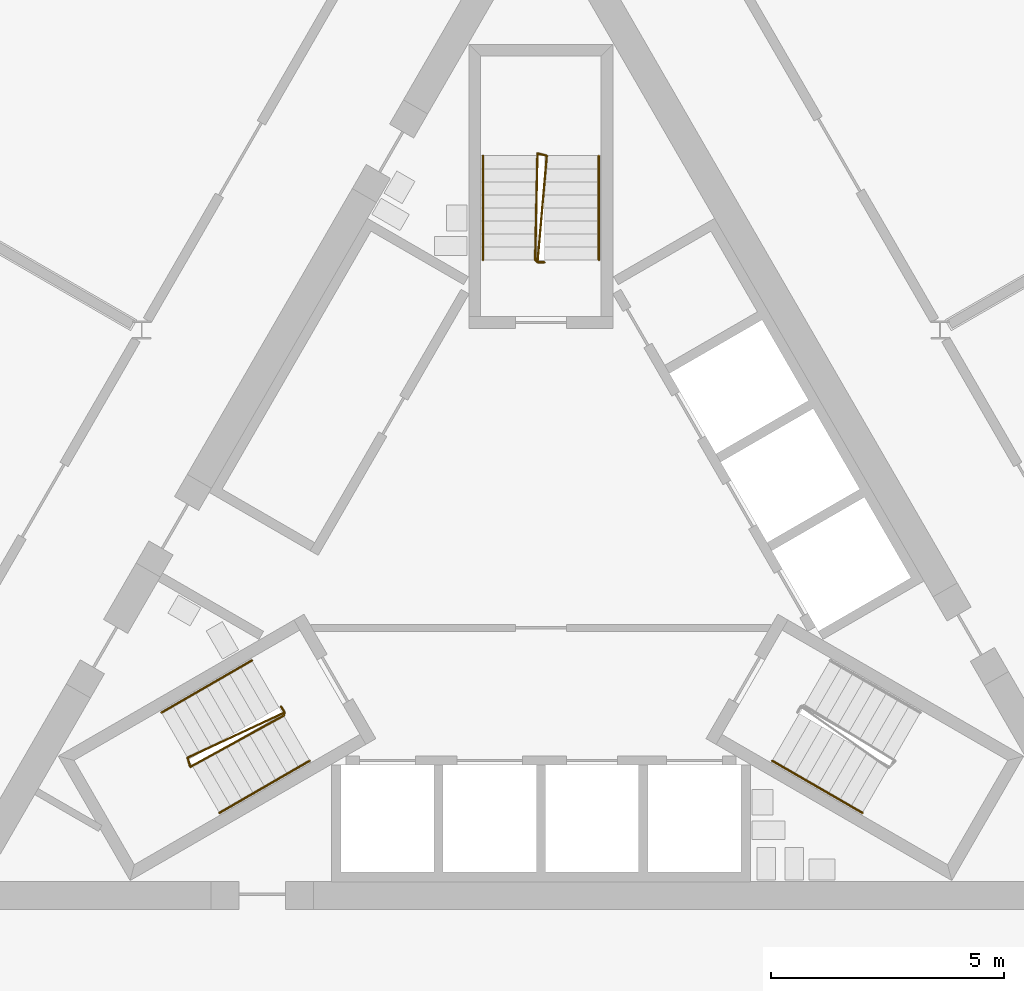
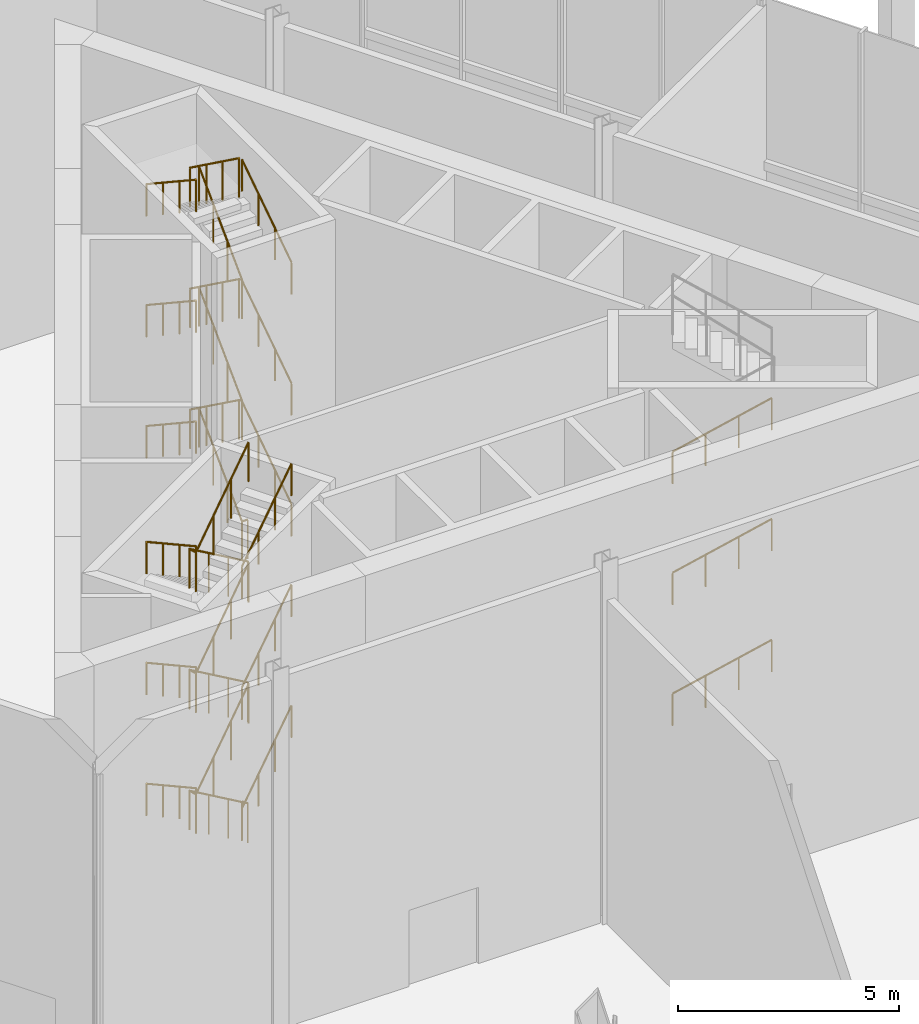
# One storey, part 15 of 18: 17 railings.
"""IFC4 building model written with IfcOpenShell, lengths in metres."""

from ifc_helpers import new_model, si_unit, direction, frame, origin, origin_2d, place, context, subcontext, project, spatial, circle, extrude, material, type_object, element, save


model = new_model("IFC4")

# Units and contexts
model_context = context("Model", 3, precision=1e-05, world=origin(), true_north=direction((0.0, 1.0)))
body_context = subcontext(model_context, "Body", "Model", "MODEL_VIEW")
ifc_project = project(units=[si_unit("LENGTHUNIT", "METRE"), si_unit("AREAUNIT", "SQUARE_METRE"), si_unit("VOLUMEUNIT", "CUBIC_METRE"), si_unit("PLANEANGLEUNIT", "RADIAN"), si_unit("MASSUNIT", "GRAM", prefix="KILO")], contexts=[model_context])

# Site, building, storey
site_placement = place(None, origin())
site = spatial("IfcSite", under=ifc_project, at=site_placement, CompositionType="ELEMENT")
building_placement = place(site_placement, origin())
building = spatial("IfcBuilding", under=site, at=building_placement, Name="Cormorant Prow Tower", CompositionType="ELEMENT")
storey_placement = place(building_placement, frame((0.0, 0.0, 346.0)))
storey = spatial("IfcBuildingStorey", under=building, at=storey_placement, Name="L78", CompositionType="ELEMENT", Elevation=346.0)

# Railings
ifc_material_1 = material(Name="Stainless steel", Category="steel")
railing_type_1 = type_object("IfcRailingType", Name="Stair guard 1100", PredefinedType="GUARDRAIL", material=ifc_material_1)
railing_1_placement = place(storey_placement, frame((-5.585205078125, -3.137939453125, 0.0)))
element("IfcRailing", 1, at=railing_1_placement, inside=storey, type_object=railing_type_1, Name="L78 ST1 stair guard 1", PredefinedType="GUARDRAIL", context=body_context, shape_type="SweptSolid", body=[
    extrude(circle(Radius=0.02392578125, at=origin_2d()), frame((0.0, 0.0, 1.076171875), z_axis=(0.501036270542, -0.865426285481, 0.0), x_axis=(0.865426285481, 0.501036270542, 0.0)), (0.0, 0.0, 1.0), 0.150146484375),
    extrude(circle(Radius=0.02392578125, at=origin_2d()), frame((0.0751953125, -0.1298828125, 1.076171875), z_axis=(-0.733674800789, -0.342289860769, 0.586991429156), x_axis=(0.422792438952, -0.906226546491, 0.0)), (0.0, 0.0, 1.0), 2.83935546875),
    extrude(circle(Radius=0.02392578125, at=origin_2d()), frame((-2.008056640625, -1.101806640625, 2.74267578125), z_axis=(0.275034262293, -0.961434425515, 0.0), x_axis=(0.961434425515, 0.275034262293, 0.0)), (0.0, 0.0, 1.0), 0.2060546875),
    extrude(circle(Radius=0.02392578125, at=origin_2d()), frame((-1.951416015625, -1.2998046875, 2.74267578125), z_axis=(0.708981209556, 0.388879554767, 0.588318227137), x_axis=(-0.480911908544, 0.87676891837, 0.0)), (0.0, 0.0, 1.0), 2.832763671875),
    extrude(circle(Radius=0.02392578125, at=origin_2d()), frame((0.056884765625, -0.1982421875, 4.4091796875), z_axis=(0.258736085224, 0.965948051503, 0.0), x_axis=(-0.965948051503, 0.258736085224, 0.0)), (0.0, 0.0, 1.0), 0.07080078125),
    extrude(circle(Radius=0.02392578125, at=origin_2d()), frame((0.0751953125, -0.1298828125, 4.4091796875), z_axis=(-0.733674800789, -0.342289860769, 0.586991429156), x_axis=(0.422792438952, -0.906226546491, 0.0)), (0.0, 0.0, 1.0), 2.83935546875),
    extrude(circle(Radius=0.02392578125, at=origin_2d()), frame((-2.008056640625, -1.101806640625, 6.076171875), z_axis=(0.275034262293, -0.961434425515, 0.0), x_axis=(0.961434425515, 0.275034262293, 0.0)), (0.0, 0.0, 1.0), 0.2060546875),
    extrude(circle(Radius=0.02392578125, at=origin_2d()), frame((-1.951416015625, -1.2998046875, 6.076171875), z_axis=(0.708945260141, 0.388859836343, 0.588374579502), x_axis=(-0.480911908544, 0.87676891837, 0.0)), (0.0, 0.0, 1.0), 2.832763671875),
    extrude(circle(Radius=0.02392578125, at=origin_2d()), frame((0.056884765625, -0.1982421875, 7.74267578125), z_axis=(0.258736085224, 0.965948051503, 0.0), x_axis=(-0.965948051503, 0.258736085224, 0.0)), (0.0, 0.0, 1.0), 0.07080078125),
    extrude(circle(Radius=0.02392578125, at=origin_2d()), frame((0.0751953125, -0.1298828125, 7.74267578125), z_axis=(-0.733711829474, -0.342307136193, 0.586935069494), x_axis=(0.422792438952, -0.906226546491, 0.0)), (0.0, 0.0, 1.0), 2.83935546875),
    extrude(circle(Radius=0.02392578125, at=origin_2d()), frame((-2.008056640625, -1.101806640625, 9.4091796875), z_axis=(0.275034262293, -0.961434425515, 0.0), x_axis=(0.961434425515, 0.275034262293, 0.0)), (0.0, 0.0, 1.0), 0.2060546875),
    extrude(circle(Radius=0.02392578125, at=origin_2d()), frame((-1.951416015625, -1.2998046875, 9.4091796875), z_axis=(0.708945260141, 0.388859836343, 0.588374579502), x_axis=(-0.480911908544, 0.87676891837, 0.0)), (0.0, 0.0, 1.0), 2.832763671875),
    extrude(circle(Radius=0.02099609375, at=origin_2d()), origin(), (0.0, 0.0, 1.0), 1.052001953125),
    extrude(circle(Radius=0.02099609375, at=origin_2d()), frame((0.0751953125, -0.1298828125, 0.0)), (0.0, 0.0, 1.0), 1.052001953125),
    extrude(circle(Radius=0.02099609375, at=origin_2d()), frame((-0.619140625, -0.453857421875, 0.5556640625)), (0.0, 0.0, 1.0), 1.052001953125),
    extrude(circle(Radius=0.02099609375, at=origin_2d()), frame((-1.313720703125, -0.77783203125, 1.111083984375)), (0.0, 0.0, 1.0), 1.052001953125),
    extrude(circle(Radius=0.02099609375, at=origin_2d()), frame((-2.008056640625, -1.101806640625, 1.666748046875)), (0.0, 0.0, 1.0), 1.052001953125),
    extrude(circle(Radius=0.02099609375, at=origin_2d()), frame((-1.951416015625, -1.2998046875, 1.666748046875)), (0.0, 0.0, 1.0), 1.052001953125),
    extrude(circle(Radius=0.02099609375, at=origin_2d()), frame((-1.281982421875, -0.9326171875, 2.22216796875)), (0.0, 0.0, 1.0), 1.052001953125),
    extrude(circle(Radius=0.02099609375, at=origin_2d()), frame((-0.612548828125, -0.5654296875, 2.77783203125)), (0.0, 0.0, 1.0), 1.052001953125),
    extrude(circle(Radius=0.02099609375, at=origin_2d()), frame((0.056884765625, -0.1982421875, 3.333251953125)), (0.0, 0.0, 1.0), 1.052001953125),
    extrude(circle(Radius=0.02099609375, at=origin_2d()), frame((0.0751953125, -0.1298828125, 3.333251953125)), (0.0, 0.0, 1.0), 1.052001953125),
    extrude(circle(Radius=0.02099609375, at=origin_2d()), frame((-0.619140625, -0.453857421875, 3.888916015625)), (0.0, 0.0, 1.0), 1.052001953125),
    extrude(circle(Radius=0.02099609375, at=origin_2d()), frame((-1.313720703125, -0.77783203125, 4.4443359375)), (0.0, 0.0, 1.0), 1.052001953125),
    extrude(circle(Radius=0.02099609375, at=origin_2d()), frame((-2.008056640625, -1.101806640625, 5.0)), (0.0, 0.0, 1.0), 1.052001953125),
    extrude(circle(Radius=0.02099609375, at=origin_2d()), frame((-1.951416015625, -1.2998046875, 5.0)), (0.0, 0.0, 1.0), 1.052001953125),
    extrude(circle(Radius=0.02099609375, at=origin_2d()), frame((-1.281982421875, -0.9326171875, 5.5556640625)), (0.0, 0.0, 1.0), 1.052001953125),
    extrude(circle(Radius=0.02099609375, at=origin_2d()), frame((-0.612548828125, -0.5654296875, 6.111083984375)), (0.0, 0.0, 1.0), 1.052001953125),
    extrude(circle(Radius=0.02099609375, at=origin_2d()), frame((0.056884765625, -0.1982421875, 6.666748046875)), (0.0, 0.0, 1.0), 1.052001953125),
    extrude(circle(Radius=0.02099609375, at=origin_2d()), frame((0.0751953125, -0.1298828125, 6.666748046875)), (0.0, 0.0, 1.0), 1.052001953125),
    extrude(circle(Radius=0.02099609375, at=origin_2d()), frame((-0.619140625, -0.453857421875, 7.22216796875)), (0.0, 0.0, 1.0), 1.052001953125),
    extrude(circle(Radius=0.02099609375, at=origin_2d()), frame((-1.313720703125, -0.77783203125, 7.77783203125)), (0.0, 0.0, 1.0), 1.052001953125),
    extrude(circle(Radius=0.02099609375, at=origin_2d()), frame((-2.008056640625, -1.101806640625, 8.333251953125)), (0.0, 0.0, 1.0), 1.052001953125),
    extrude(circle(Radius=0.02099609375, at=origin_2d()), frame((-1.951416015625, -1.2998046875, 8.333251953125)), (0.0, 0.0, 1.0), 1.052001953125),
    extrude(circle(Radius=0.02099609375, at=origin_2d()), frame((-1.281982421875, -0.9326171875, 8.888916015625)), (0.0, 0.0, 1.0), 1.052001953125),
    extrude(circle(Radius=0.02099609375, at=origin_2d()), frame((-0.612548828125, -0.5654296875, 9.4443359375)), (0.0, 0.0, 1.0), 1.052001953125),
    extrude(circle(Radius=0.02099609375, at=origin_2d()), frame((0.056884765625, -0.1982421875, 10.0)), (0.0, 0.0, 1.0), 1.052001953125),
])
railing_2_placement = place(storey_placement, frame((0.074951171875, 6.40576171875, 0.0)))
element("IfcRailing", 2, at=railing_2_placement, inside=storey, type_object=railing_type_1, Name="L78 ST3 stair guard 1", PredefinedType="GUARDRAIL", context=body_context, shape_type="SweptSolid", body=[
    extrude(circle(Radius=0.02392578125, at=origin_2d()), frame((0.0, 0.0, 1.076171875), z_axis=(-1.0, 0.0, 0.0), x_axis=(0.0, -1.0, 0.0)), (0.0, 0.0, 1.0), 0.14990234375),
    extrude(circle(Radius=0.02392578125, at=origin_2d()), frame((-0.14990234375, 0.0, 1.076171875), z_axis=(0.070419712809, 0.806516368928, 0.587002905189), x_axis=(-0.996209839609, 0.086982500921, 0.0)), (0.0, 0.0, 1.0), 2.83935546875),
    extrude(circle(Radius=0.02392578125, at=origin_2d()), frame((0.050048828125, 2.2900390625, 2.74267578125), z_axis=(-0.970072785993, 0.242814311512, 0.0), x_axis=(-0.242814311512, -0.970072785993, 0.0)), (0.0, 0.0, 1.0), 0.2060546875),
    extrude(circle(Radius=0.02392578125, at=origin_2d()), frame((-0.14990234375, 2.340087890625, 2.74267578125), z_axis=(-0.017668429064, -0.808438363986, 0.58831559409), x_axis=(0.999761264773, -0.0218497931, 0.0)), (0.0, 0.0, 1.0), 2.832763671875),
    extrude(circle(Radius=0.02392578125, at=origin_2d()), frame((-0.199951171875, 0.050048828125, 4.4091796875), z_axis=(0.707106781187, -0.707106781187, 0.0), x_axis=(0.707106781187, 0.707106781187, 0.0)), (0.0, 0.0, 1.0), 0.07080078125),
    extrude(circle(Radius=0.02392578125, at=origin_2d()), frame((-0.14990234375, 0.0, 4.4091796875), z_axis=(0.070419712809, 0.806516368928, 0.587002905189), x_axis=(-0.996209839609, 0.086982500921, 0.0)), (0.0, 0.0, 1.0), 2.83935546875),
    extrude(circle(Radius=0.02392578125, at=origin_2d()), frame((0.050048828125, 2.2900390625, 6.076171875), z_axis=(-0.970072785993, 0.242814311512, 0.0), x_axis=(-0.242814311512, -0.970072785993, 0.0)), (0.0, 0.0, 1.0), 0.2060546875),
    extrude(circle(Radius=0.02392578125, at=origin_2d()), frame((-0.14990234375, 2.340087890625, 6.076171875), z_axis=(-0.017667533181, -0.80839737189, 0.58837194647), x_axis=(0.999761264773, -0.0218497931, 0.0)), (0.0, 0.0, 1.0), 2.832763671875),
    extrude(circle(Radius=0.02392578125, at=origin_2d()), frame((-0.199951171875, 0.050048828125, 7.74267578125), z_axis=(0.707106781187, -0.707106781187, 0.0), x_axis=(0.707106781187, 0.707106781187, 0.0)), (0.0, 0.0, 1.0), 0.07080078125),
    extrude(circle(Radius=0.02392578125, at=origin_2d()), frame((-0.14990234375, 0.0, 7.74267578125), z_axis=(0.070423267043, 0.80655707553, 0.586946545583), x_axis=(-0.996209839609, 0.086982500921, 0.0)), (0.0, 0.0, 1.0), 2.83935546875),
    extrude(circle(Radius=0.02392578125, at=origin_2d()), frame((0.050048828125, 2.2900390625, 9.4091796875), z_axis=(-0.970072785993, 0.242814311512, 0.0), x_axis=(-0.242814311512, -0.970072785993, 0.0)), (0.0, 0.0, 1.0), 0.2060546875),
    extrude(circle(Radius=0.02392578125, at=origin_2d()), frame((-0.14990234375, 2.340087890625, 9.4091796875), z_axis=(-0.017667533181, -0.80839737189, 0.58837194647), x_axis=(0.999761264773, -0.0218497931, 0.0)), (0.0, 0.0, 1.0), 2.832763671875),
    extrude(circle(Radius=0.02099609375, at=origin_2d()), origin(), (0.0, 0.0, 1.0), 1.052001953125),
    extrude(circle(Radius=0.02099609375, at=origin_2d()), frame((-0.14990234375, 0.0, 0.0)), (0.0, 0.0, 1.0), 1.052001953125),
    extrude(circle(Radius=0.02099609375, at=origin_2d()), frame((-0.083251953125, 0.763427734375, 0.5556640625)), (0.0, 0.0, 1.0), 1.052001953125),
    extrude(circle(Radius=0.02099609375, at=origin_2d()), frame((-0.0166015625, 1.526611328125, 1.111083984375)), (0.0, 0.0, 1.0), 1.052001953125),
    extrude(circle(Radius=0.02099609375, at=origin_2d()), frame((0.050048828125, 2.2900390625, 1.666748046875)), (0.0, 0.0, 1.0), 1.052001953125),
    extrude(circle(Radius=0.02099609375, at=origin_2d()), frame((-0.14990234375, 2.340087890625, 1.666748046875)), (0.0, 0.0, 1.0), 1.052001953125),
    extrude(circle(Radius=0.02099609375, at=origin_2d()), frame((-0.16650390625, 1.57666015625, 2.22216796875)), (0.0, 0.0, 1.0), 1.052001953125),
    extrude(circle(Radius=0.02099609375, at=origin_2d()), frame((-0.183349609375, 0.8134765625, 2.77783203125)), (0.0, 0.0, 1.0), 1.052001953125),
    extrude(circle(Radius=0.02099609375, at=origin_2d()), frame((-0.199951171875, 0.050048828125, 3.333251953125)), (0.0, 0.0, 1.0), 1.052001953125),
    extrude(circle(Radius=0.02099609375, at=origin_2d()), frame((-0.14990234375, 0.0, 3.333251953125)), (0.0, 0.0, 1.0), 1.052001953125),
    extrude(circle(Radius=0.02099609375, at=origin_2d()), frame((-0.083251953125, 0.763427734375, 3.888916015625)), (0.0, 0.0, 1.0), 1.052001953125),
    extrude(circle(Radius=0.02099609375, at=origin_2d()), frame((-0.0166015625, 1.526611328125, 4.4443359375)), (0.0, 0.0, 1.0), 1.052001953125),
    extrude(circle(Radius=0.02099609375, at=origin_2d()), frame((0.050048828125, 2.2900390625, 5.0)), (0.0, 0.0, 1.0), 1.052001953125),
    extrude(circle(Radius=0.02099609375, at=origin_2d()), frame((-0.14990234375, 2.340087890625, 5.0)), (0.0, 0.0, 1.0), 1.052001953125),
    extrude(circle(Radius=0.02099609375, at=origin_2d()), frame((-0.16650390625, 1.57666015625, 5.5556640625)), (0.0, 0.0, 1.0), 1.052001953125),
    extrude(circle(Radius=0.02099609375, at=origin_2d()), frame((-0.183349609375, 0.8134765625, 6.111083984375)), (0.0, 0.0, 1.0), 1.052001953125),
    extrude(circle(Radius=0.02099609375, at=origin_2d()), frame((-0.199951171875, 0.050048828125, 6.666748046875)), (0.0, 0.0, 1.0), 1.052001953125),
    extrude(circle(Radius=0.02099609375, at=origin_2d()), frame((-0.14990234375, 0.0, 6.666748046875)), (0.0, 0.0, 1.0), 1.052001953125),
    extrude(circle(Radius=0.02099609375, at=origin_2d()), frame((-0.083251953125, 0.763427734375, 7.22216796875)), (0.0, 0.0, 1.0), 1.052001953125),
    extrude(circle(Radius=0.02099609375, at=origin_2d()), frame((-0.0166015625, 1.526611328125, 7.77783203125)), (0.0, 0.0, 1.0), 1.052001953125),
    extrude(circle(Radius=0.02099609375, at=origin_2d()), frame((0.050048828125, 2.2900390625, 8.333251953125)), (0.0, 0.0, 1.0), 1.052001953125),
    extrude(circle(Radius=0.02099609375, at=origin_2d()), frame((-0.14990234375, 2.340087890625, 8.333251953125)), (0.0, 0.0, 1.0), 1.052001953125),
    extrude(circle(Radius=0.02099609375, at=origin_2d()), frame((-0.16650390625, 1.57666015625, 8.888916015625)), (0.0, 0.0, 1.0), 1.052001953125),
    extrude(circle(Radius=0.02099609375, at=origin_2d()), frame((-0.183349609375, 0.8134765625, 9.4443359375)), (0.0, 0.0, 1.0), 1.052001953125),
    extrude(circle(Radius=0.02099609375, at=origin_2d()), frame((-0.199951171875, 0.050048828125, 10.0)), (0.0, 0.0, 1.0), 1.052001953125),
])
ifc_material_2 = material(Name="Stainless steel", Category="steel")
railing_type_2 = type_object("IfcRailingType", Name="Stair handrail 900", PredefinedType="HANDRAIL", material=ifc_material_2)
railing_3_placement = place(storey_placement, frame((-6.212890625, -2.150634765625, 0.185302734375)))
element("IfcRailing", 3, at=railing_3_placement, inside=storey, type_object=railing_type_2, Name="L78 ST1 stair handrail 1", PredefinedType="HANDRAIL", context=body_context, shape_type="SweptSolid", body=[
    extrude(circle(Radius=0.02392578125, at=origin_2d()), frame((0.0, 0.0, 0.8759765625), z_axis=(-0.722363311002, -0.416999812178, 0.551636115172), x_axis=(0.49994888933, -0.866054910533, 0.0)), (0.0, 0.0, 1.0), 2.685546875),
    extrude(circle(Radius=0.02099609375, at=origin_2d()), origin(), (0.0, 0.0, 1.0), 0.851806640625),
    extrude(circle(Radius=0.02099609375, at=origin_2d()), frame((-0.646728515625, -0.373291015625, 0.493896484375)), (0.0, 0.0, 1.0), 0.851806640625),
    extrude(circle(Radius=0.02099609375, at=origin_2d()), frame((-1.293212890625, -0.74658203125, 0.987548828125)), (0.0, 0.0, 1.0), 0.851806640625),
    extrude(circle(Radius=0.02099609375, at=origin_2d()), frame((-1.93994140625, -1.119873046875, 1.4814453125)), (0.0, 0.0, 1.0), 0.851806640625),
])
railing_4_placement = place(storey_placement, frame((-6.90869140625, -5.42529296875, 1.851806640625)))
element("IfcRailing", 4, at=railing_4_placement, inside=storey, type_object=railing_type_2, Name="L78 ST1 stair handrail 2", PredefinedType="HANDRAIL", context=body_context, shape_type="SweptSolid", body=[
    extrude(circle(Radius=0.02392578125, at=origin_2d()), frame((0.0, 0.0, 0.8759765625), z_axis=(0.72229244732, 0.417102296828, 0.551651424838), x_axis=(-0.500077830873, 0.865980463445, 0.0)), (0.0, 0.0, 1.0), 2.685546875),
    extrude(circle(Radius=0.02099609375, at=origin_2d()), origin(), (0.0, 0.0, 1.0), 0.851806640625),
    extrude(circle(Radius=0.02099609375, at=origin_2d()), frame((0.646484375, 0.373291015625, 0.493896484375)), (0.0, 0.0, 1.0), 0.851806640625),
    extrude(circle(Radius=0.02099609375, at=origin_2d()), frame((1.293212890625, 0.746826171875, 0.987548828125)), (0.0, 0.0, 1.0), 0.851806640625),
    extrude(circle(Radius=0.02099609375, at=origin_2d()), frame((1.939697265625, 1.1201171875, 1.4814453125)), (0.0, 0.0, 1.0), 0.851806640625),
])
railing_5_placement = place(storey_placement, frame((-6.212890625, -2.150634765625, 3.5185546875)))
element("IfcRailing", 5, at=railing_5_placement, inside=storey, type_object=railing_type_2, Name="L78 ST1 stair handrail 3", PredefinedType="HANDRAIL", context=body_context, shape_type="SweptSolid", body=[
    extrude(circle(Radius=0.02392578125, at=origin_2d()), frame((0.0, 0.0, 0.8759765625), z_axis=(-0.722363311002, -0.416999812178, 0.551636115172), x_axis=(0.49994888933, -0.866054910533, 0.0)), (0.0, 0.0, 1.0), 2.685546875),
    extrude(circle(Radius=0.02099609375, at=origin_2d()), origin(), (0.0, 0.0, 1.0), 0.851806640625),
    extrude(circle(Radius=0.02099609375, at=origin_2d()), frame((-0.646728515625, -0.373291015625, 0.493896484375)), (0.0, 0.0, 1.0), 0.851806640625),
    extrude(circle(Radius=0.02099609375, at=origin_2d()), frame((-1.293212890625, -0.74658203125, 0.987548828125)), (0.0, 0.0, 1.0), 0.851806640625),
    extrude(circle(Radius=0.02099609375, at=origin_2d()), frame((-1.93994140625, -1.119873046875, 1.4814453125)), (0.0, 0.0, 1.0), 0.851806640625),
])
railing_6_placement = place(storey_placement, frame((-6.90869140625, -5.42529296875, 5.185302734375)))
element("IfcRailing", 6, at=railing_6_placement, inside=storey, type_object=railing_type_2, Name="L78 ST1 stair handrail 4", PredefinedType="HANDRAIL", context=body_context, shape_type="SweptSolid", body=[
    extrude(circle(Radius=0.02392578125, at=origin_2d()), frame((0.0, 0.0, 0.8759765625), z_axis=(0.72229244732, 0.417102296828, 0.551651424838), x_axis=(-0.500077830873, 0.865980463445, 0.0)), (0.0, 0.0, 1.0), 2.685546875),
    extrude(circle(Radius=0.02099609375, at=origin_2d()), origin(), (0.0, 0.0, 1.0), 0.851806640625),
    extrude(circle(Radius=0.02099609375, at=origin_2d()), frame((0.646484375, 0.373291015625, 0.493896484375)), (0.0, 0.0, 1.0), 0.851806640625),
    extrude(circle(Radius=0.02099609375, at=origin_2d()), frame((1.293212890625, 0.746826171875, 0.987548828125)), (0.0, 0.0, 1.0), 0.851806640625),
    extrude(circle(Radius=0.02099609375, at=origin_2d()), frame((1.939697265625, 1.1201171875, 1.4814453125)), (0.0, 0.0, 1.0), 0.851806640625),
])
railing_7_placement = place(storey_placement, frame((-6.212890625, -2.150634765625, 6.851806640625)))
element("IfcRailing", 7, at=railing_7_placement, inside=storey, type_object=railing_type_2, Name="L78 ST1 stair handrail 5", PredefinedType="HANDRAIL", context=body_context, shape_type="SweptSolid", body=[
    extrude(circle(Radius=0.02392578125, at=origin_2d()), frame((0.0, 0.0, 0.8759765625), z_axis=(-0.722363311002, -0.416999812178, 0.551636115172), x_axis=(0.49994888933, -0.866054910533, 0.0)), (0.0, 0.0, 1.0), 2.685546875),
    extrude(circle(Radius=0.02099609375, at=origin_2d()), origin(), (0.0, 0.0, 1.0), 0.851806640625),
    extrude(circle(Radius=0.02099609375, at=origin_2d()), frame((-0.646728515625, -0.373291015625, 0.493896484375)), (0.0, 0.0, 1.0), 0.851806640625),
    extrude(circle(Radius=0.02099609375, at=origin_2d()), frame((-1.293212890625, -0.74658203125, 0.987548828125)), (0.0, 0.0, 1.0), 0.851806640625),
    extrude(circle(Radius=0.02099609375, at=origin_2d()), frame((-1.93994140625, -1.119873046875, 1.4814453125)), (0.0, 0.0, 1.0), 0.851806640625),
])
railing_8_placement = place(storey_placement, frame((-6.90869140625, -5.42529296875, 8.5185546875)))
element("IfcRailing", 8, at=railing_8_placement, inside=storey, type_object=railing_type_2, Name="L78 ST1 stair handrail 6", PredefinedType="HANDRAIL", context=body_context, shape_type="SweptSolid", body=[
    extrude(circle(Radius=0.02392578125, at=origin_2d()), frame((0.0, 0.0, 0.8759765625), z_axis=(0.72229244732, 0.417102296828, 0.551651424838), x_axis=(-0.500077830873, 0.865980463445, 0.0)), (0.0, 0.0, 1.0), 2.685546875),
    extrude(circle(Radius=0.02099609375, at=origin_2d()), origin(), (0.0, 0.0, 1.0), 0.851806640625),
    extrude(circle(Radius=0.02099609375, at=origin_2d()), frame((0.646484375, 0.373291015625, 0.493896484375)), (0.0, 0.0, 1.0), 0.851806640625),
    extrude(circle(Radius=0.02099609375, at=origin_2d()), frame((1.293212890625, 0.746826171875, 0.987548828125)), (0.0, 0.0, 1.0), 0.851806640625),
    extrude(circle(Radius=0.02099609375, at=origin_2d()), frame((1.939697265625, 1.1201171875, 1.4814453125)), (0.0, 0.0, 1.0), 0.851806640625),
])
for number, where, name in (
    (9, (4.968994140625, -4.30517578125, 0.185302734375), "L78 ST2 stair handrail 1"),
    (10, (4.968994140625, -4.30517578125, 3.5185546875), "L78 ST2 stair handrail 3"),
    (11, (4.968994140625, -4.30517578125, 6.851806640625), "L78 ST2 stair handrail 5"),
):
    element("IfcRailing", number, at=place(storey_placement, frame(where)), inside=storey, type_object=railing_type_2, Name=name, PredefinedType="HANDRAIL", context=body_context, shape_type="SweptSolid", body=[
        extrude(circle(Radius=0.02392578125, at=origin_2d()), frame((0.0, 0.0, 0.8759765625), z_axis=(0.72229244732, -0.417102296828, 0.551651424838), x_axis=(0.500077830873, 0.865980463445, 0.0)), (0.0, 0.0, 1.0), 2.685546875),
        extrude(circle(Radius=0.02099609375, at=origin_2d()), origin(), (0.0, 0.0, 1.0), 0.851806640625),
        extrude(circle(Radius=0.02099609375, at=origin_2d()), frame((0.646484375, -0.373291015625, 0.493896484375)), (0.0, 0.0, 1.0), 0.851806640625),
        extrude(circle(Radius=0.02099609375, at=origin_2d()), frame((1.293212890625, -0.746826171875, 0.987548828125)), (0.0, 0.0, 1.0), 0.851806640625),
        extrude(circle(Radius=0.02099609375, at=origin_2d()), frame((1.939697265625, -1.1201171875, 1.4814453125)), (0.0, 0.0, 1.0), 0.851806640625),
    ])
railing_9_placement = place(storey_placement, frame((1.243896484375, 6.455810546875, 0.185302734375)))
element("IfcRailing", 12, at=railing_9_placement, inside=storey, type_object=railing_type_2, Name="L78 ST3 stair handrail 1", PredefinedType="HANDRAIL", context=body_context, shape_type="SweptSolid", body=[
    extrude(circle(Radius=0.02392578125, at=origin_2d()), frame((0.0, 0.0, 0.8759765625), z_axis=(0.0, 0.83408660425, 0.551633516577), x_axis=(-1.0, 0.0, 0.0)), (0.0, 0.0, 1.0), 2.685546875),
    extrude(circle(Radius=0.02099609375, at=origin_2d()), origin(), (0.0, 0.0, 1.0), 0.851806640625),
    extrude(circle(Radius=0.02099609375, at=origin_2d()), frame((0.0, 0.74658203125, 0.493896484375)), (0.0, 0.0, 1.0), 0.851806640625),
    extrude(circle(Radius=0.02099609375, at=origin_2d()), frame((0.0, 1.493408203125, 0.987548828125)), (0.0, 0.0, 1.0), 0.851806640625),
    extrude(circle(Radius=0.02099609375, at=origin_2d()), frame((0.0, 2.239990234375, 1.4814453125)), (0.0, 0.0, 1.0), 0.851806640625),
])
railing_10_placement = place(storey_placement, frame((-1.243896484375, 8.69580078125, 1.851806640625)))
element("IfcRailing", 13, at=railing_10_placement, inside=storey, type_object=railing_type_2, Name="L78 ST3 stair handrail 2", PredefinedType="HANDRAIL", context=body_context, shape_type="SweptSolid", body=[
    extrude(circle(Radius=0.02392578125, at=origin_2d()), frame((0.0, 0.0, 0.8759765625), z_axis=(0.0, -0.83408660425, 0.551633516577), x_axis=(1.0, 0.0, 0.0)), (0.0, 0.0, 1.0), 2.685546875),
    extrude(circle(Radius=0.02099609375, at=origin_2d()), origin(), (0.0, 0.0, 1.0), 0.851806640625),
    extrude(circle(Radius=0.02099609375, at=origin_2d()), frame((0.0, -0.74658203125, 0.493896484375)), (0.0, 0.0, 1.0), 0.851806640625),
    extrude(circle(Radius=0.02099609375, at=origin_2d()), frame((0.0, -1.493408203125, 0.987548828125)), (0.0, 0.0, 1.0), 0.851806640625),
    extrude(circle(Radius=0.02099609375, at=origin_2d()), frame((0.0, -2.239990234375, 1.4814453125)), (0.0, 0.0, 1.0), 0.851806640625),
])
railing_11_placement = place(storey_placement, frame((1.243896484375, 6.455810546875, 3.5185546875)))
element("IfcRailing", 14, at=railing_11_placement, inside=storey, type_object=railing_type_2, Name="L78 ST3 stair handrail 3", PredefinedType="HANDRAIL", context=body_context, shape_type="SweptSolid", body=[
    extrude(circle(Radius=0.02392578125, at=origin_2d()), frame((0.0, 0.0, 0.8759765625), z_axis=(0.0, 0.83408660425, 0.551633516577), x_axis=(-1.0, 0.0, 0.0)), (0.0, 0.0, 1.0), 2.685546875),
    extrude(circle(Radius=0.02099609375, at=origin_2d()), origin(), (0.0, 0.0, 1.0), 0.851806640625),
    extrude(circle(Radius=0.02099609375, at=origin_2d()), frame((0.0, 0.74658203125, 0.493896484375)), (0.0, 0.0, 1.0), 0.851806640625),
    extrude(circle(Radius=0.02099609375, at=origin_2d()), frame((0.0, 1.493408203125, 0.987548828125)), (0.0, 0.0, 1.0), 0.851806640625),
    extrude(circle(Radius=0.02099609375, at=origin_2d()), frame((0.0, 2.239990234375, 1.4814453125)), (0.0, 0.0, 1.0), 0.851806640625),
])
railing_12_placement = place(storey_placement, frame((-1.243896484375, 8.69580078125, 5.185302734375)))
element("IfcRailing", 15, at=railing_12_placement, inside=storey, type_object=railing_type_2, Name="L78 ST3 stair handrail 4", PredefinedType="HANDRAIL", context=body_context, shape_type="SweptSolid", body=[
    extrude(circle(Radius=0.02392578125, at=origin_2d()), frame((0.0, 0.0, 0.8759765625), z_axis=(0.0, -0.83408660425, 0.551633516577), x_axis=(1.0, 0.0, 0.0)), (0.0, 0.0, 1.0), 2.685546875),
    extrude(circle(Radius=0.02099609375, at=origin_2d()), origin(), (0.0, 0.0, 1.0), 0.851806640625),
    extrude(circle(Radius=0.02099609375, at=origin_2d()), frame((0.0, -0.74658203125, 0.493896484375)), (0.0, 0.0, 1.0), 0.851806640625),
    extrude(circle(Radius=0.02099609375, at=origin_2d()), frame((0.0, -1.493408203125, 0.987548828125)), (0.0, 0.0, 1.0), 0.851806640625),
    extrude(circle(Radius=0.02099609375, at=origin_2d()), frame((0.0, -2.239990234375, 1.4814453125)), (0.0, 0.0, 1.0), 0.851806640625),
])
railing_13_placement = place(storey_placement, frame((1.243896484375, 6.455810546875, 6.851806640625)))
element("IfcRailing", 16, at=railing_13_placement, inside=storey, type_object=railing_type_2, Name="L78 ST3 stair handrail 5", PredefinedType="HANDRAIL", context=body_context, shape_type="SweptSolid", body=[
    extrude(circle(Radius=0.02392578125, at=origin_2d()), frame((0.0, 0.0, 0.8759765625), z_axis=(0.0, 0.83408660425, 0.551633516577), x_axis=(-1.0, 0.0, 0.0)), (0.0, 0.0, 1.0), 2.685546875),
    extrude(circle(Radius=0.02099609375, at=origin_2d()), origin(), (0.0, 0.0, 1.0), 0.851806640625),
    extrude(circle(Radius=0.02099609375, at=origin_2d()), frame((0.0, 0.74658203125, 0.493896484375)), (0.0, 0.0, 1.0), 0.851806640625),
    extrude(circle(Radius=0.02099609375, at=origin_2d()), frame((0.0, 1.493408203125, 0.987548828125)), (0.0, 0.0, 1.0), 0.851806640625),
    extrude(circle(Radius=0.02099609375, at=origin_2d()), frame((0.0, 2.239990234375, 1.4814453125)), (0.0, 0.0, 1.0), 0.851806640625),
])
railing_14_placement = place(storey_placement, frame((-1.243896484375, 8.69580078125, 8.5185546875)))
element("IfcRailing", 17, at=railing_14_placement, inside=storey, type_object=railing_type_2, Name="L78 ST3 stair handrail 6", PredefinedType="HANDRAIL", context=body_context, shape_type="SweptSolid", body=[
    extrude(circle(Radius=0.02392578125, at=origin_2d()), frame((0.0, 0.0, 0.8759765625), z_axis=(0.0, -0.83408660425, 0.551633516577), x_axis=(1.0, 0.0, 0.0)), (0.0, 0.0, 1.0), 2.685546875),
    extrude(circle(Radius=0.02099609375, at=origin_2d()), origin(), (0.0, 0.0, 1.0), 0.851806640625),
    extrude(circle(Radius=0.02099609375, at=origin_2d()), frame((0.0, -0.74658203125, 0.493896484375)), (0.0, 0.0, 1.0), 0.851806640625),
    extrude(circle(Radius=0.02099609375, at=origin_2d()), frame((0.0, -1.493408203125, 0.987548828125)), (0.0, 0.0, 1.0), 0.851806640625),
    extrude(circle(Radius=0.02099609375, at=origin_2d()), frame((0.0, -2.239990234375, 1.4814453125)), (0.0, 0.0, 1.0), 0.851806640625),
])

save(model, "model.ifc")
